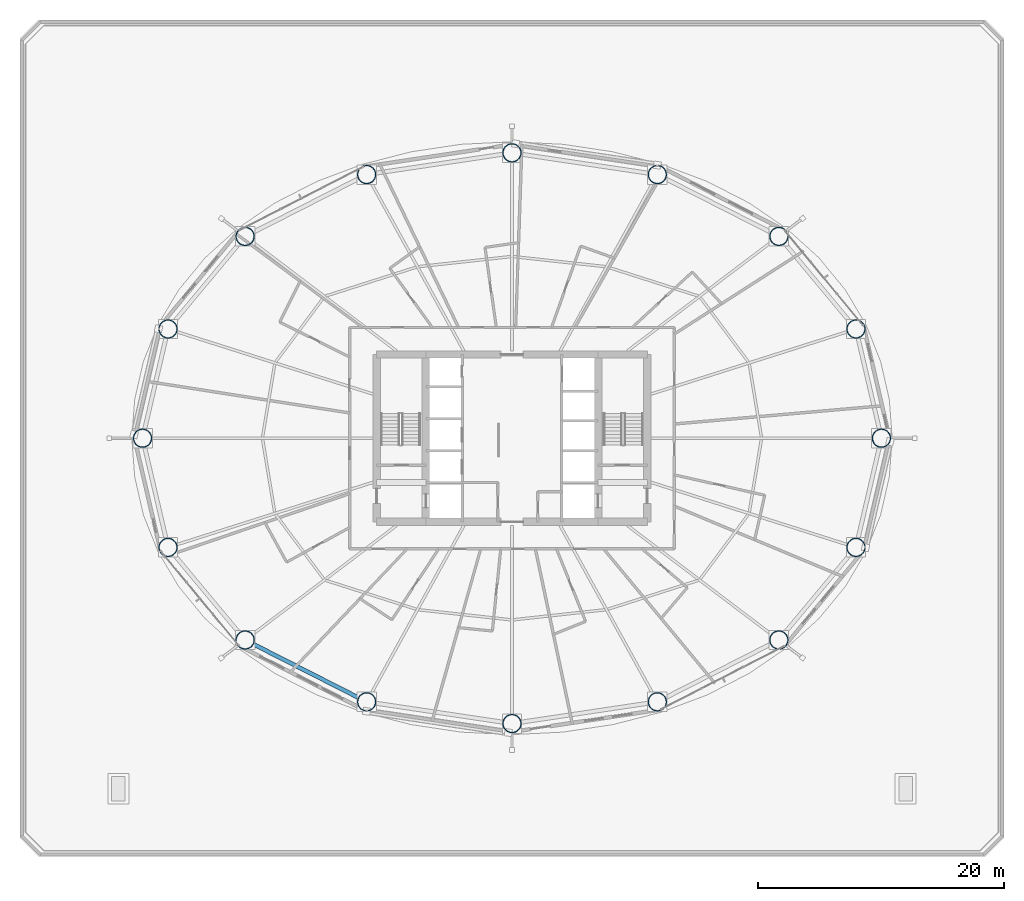
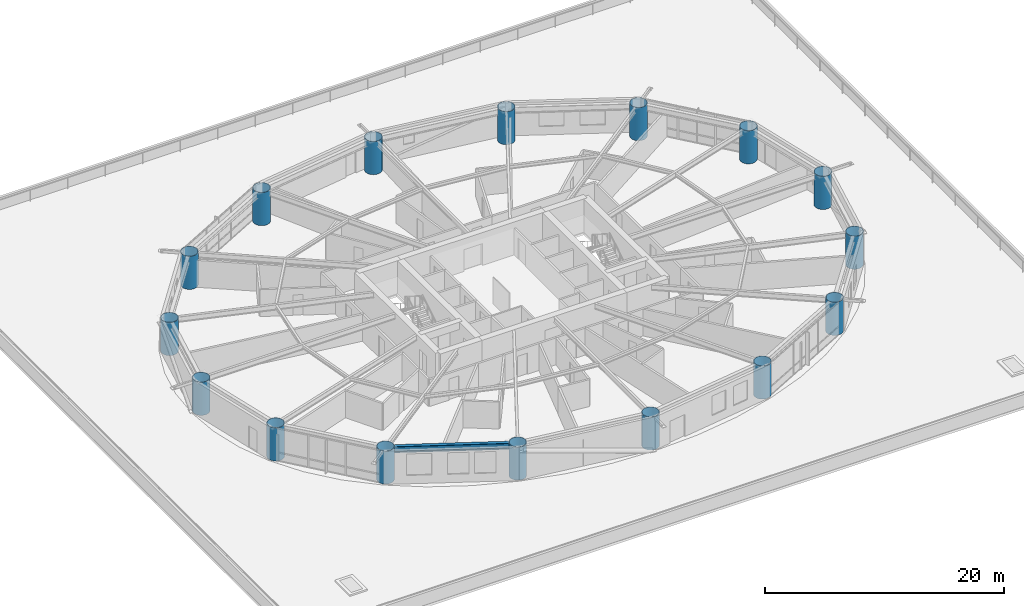
# One storey, part 1 of 30: 16 columns, 1 beam.
"""IFC4 building model written with IfcOpenShell, lengths in metres."""

from ifc_helpers import new_model, si_unit, direction, frame, origin, origin_2d, place, context, subcontext, project, spatial, hollow_circle, i_section, extrude, material, material_profile, profile_set, type_object, element, save


model = new_model("IFC4")

# Units and contexts
model_context = context("Model", 3, precision=1e-05, world=origin(), true_north=direction((0.0, 1.0)))
body_context = subcontext(model_context, "Body", "Model", "MODEL_VIEW")
ifc_project = project(units=[si_unit("LENGTHUNIT", "METRE"), si_unit("AREAUNIT", "SQUARE_METRE"), si_unit("VOLUMEUNIT", "CUBIC_METRE"), si_unit("PLANEANGLEUNIT", "RADIAN"), si_unit("MASSUNIT", "GRAM", prefix="KILO")], contexts=[model_context])

# Site, building, storey
site_placement = place(None, origin())
site = spatial("IfcSite", under=ifc_project, at=site_placement, CompositionType="ELEMENT")
building_placement = place(site_placement, origin())
building = spatial("IfcBuilding", under=site, at=building_placement, Name="Sarneth Arch Tower", CompositionType="ELEMENT")
storey_placement = place(building_placement, frame((0.0, 0.0, 28.199951171875)))
storey = spatial("IfcBuildingStorey", under=building, at=storey_placement, Name="L05", CompositionType="ELEMENT", Elevation=28.199951171875)

# Columns
ifc_material_1 = material(Name="Steel S355", Category="steel")
ifc_material_profile_1 = material_profile(ifc_material_1, hollow_circle(Radius=0.75, WallThickness=0.0400390625, at=origin_2d()), Name="CHS1500x40")
ifc_profile_set_1 = profile_set([ifc_material_profile_1], Name="Steel S355")
column_type = type_object("IfcColumnType", Name="COL-MEGA-1500", PredefinedType="COLUMN", material=ifc_profile_set_1)
for number, where, z_axis, x_axis, name in (
    (1, (78.034912109375, 42.0, 0.0), (0.0, 0.0, 1.0), (1.0, 0.0, 0.0), "L05 Perimeter mega-column M01"),
    (2, (75.965576171875, 50.878173828125, 0.0), (0.0, 0.0, 1.0), (1.0, 0.0, 0.0), "L05 Perimeter mega-column M02"),
    (3, (69.696533203125, 58.40478515625, 0.0), (0.0, 0.0, 1.0), (1.0, 0.0, 0.0), "L05 Perimeter mega-column M03"),
    (4, (59.81787109375, 63.43408203125, 0.0), (0.0, 0.0, 1.0), (1.0, 0.0, 0.0), "L05 Perimeter mega-column M04"),
    (5, (48.0, 65.199951171875, 0.0), (0.0, 0.0, 1.0), (1.0, 0.0, 0.0), "L05 Perimeter mega-column M05"),
    (6, (36.18212890625, 63.43408203125, 0.0), (0.0, 0.0, 1.0), (1.0, 0.0, 0.0), "L05 Perimeter mega-column M06"),
    (7, (26.303466796875, 58.40478515625, 0.0), (0.0, 0.0, 1.0), (1.0, 0.0, 0.0), "L05 Perimeter mega-column M07"),
    (8, (20.034423828125, 50.878173828125, 0.0), (0.0, 0.0, 1.0), (1.0, 0.0, 0.0), "L05 Perimeter mega-column M08"),
    (9, (17.965087890625, 42.0, 0.0), (0.0, 0.0, 1.0), (1.0, 0.0, 0.0), "L05 Perimeter mega-column M09"),
    (10, (20.034423828125, 33.121826171875, 0.0), (0.0, 0.0, 1.0), (1.0, 0.0, 0.0), "L05 Perimeter mega-column M10"),
    (11, (26.303466796875, 25.59521484375, 0.0), (0.0, 0.0, 1.0), (1.0, 0.0, 0.0), "L05 Perimeter mega-column M11"),
    (12, (36.18212890625, 20.56591796875, 0.0), (0.0, 0.0, 1.0), (1.0, 0.0, 0.0), "L05 Perimeter mega-column M12"),
    (13, (48.0, 18.800048828125, 0.0), (0.0, 0.0, 1.0), (1.0, 0.0, 0.0), "L05 Perimeter mega-column M13"),
    (14, (59.81787109375, 20.56591796875, 0.0), (0.0, 0.0, 1.0), (1.0, 0.0, 0.0), "L05 Perimeter mega-column M14"),
    (15, (69.696533203125, 25.59521484375, 0.0), (0.0, 0.0, 1.0), (1.0, 0.0, 0.0), "L05 Perimeter mega-column M15"),
    (16, (75.965576171875, 33.121826171875, 0.0), (0.0, 0.0, 1.0), (1.0, 0.0, 0.0), "L05 Perimeter mega-column M16"),
):
    element("IfcColumn", number, at=place(storey_placement, frame(where, z_axis=z_axis, x_axis=x_axis)), inside=storey, type_object=column_type, Name=name, PredefinedType="COLUMN", context=body_context, shape_type="SweptSolid", body=[
        extrude(hollow_circle(Radius=0.75, WallThickness=0.0400390625, at=origin_2d()), origin(), (0.0, 0.0, 1.0), 3.380126953125),
    ])

# Beam
ifc_material_2 = material(Name="Steel S355", Category="steel")
ifc_material_profile_2 = material_profile(ifc_material_2, i_section(OverallWidth=0.326904296875, OverallDepth=0.6220703125, WebThickness=0.015380859375, FlangeThickness=0.0244140625, FilletRadius=0.01904296875, at=origin_2d()), Name="W610x195")
ifc_profile_set_2 = profile_set([ifc_material_profile_2], Name="Steel S355")
beam_type = type_object("IfcBeamType", Name="BM-SPAN-610A", PredefinedType="SPANDREL", material=ifc_profile_set_2)
beam_placement = place(storey_placement, frame((26.9716796875, 25.2548828125, 3.069091796875), z_axis=(0.891169106887, -0.453671271882, 0.0), x_axis=(0.453671271882, 0.891169106887, 0.0)))
element("IfcBeam", 17, at=beam_placement, inside=storey, type_object=beam_type, Name="L05 Perimeter spandrel beam 11", PredefinedType="SPANDREL", context=body_context, shape_type="SweptSolid", body=[
    extrude(i_section(OverallWidth=0.326904296875, OverallDepth=0.6220703125, WebThickness=0.015380859375, FlangeThickness=0.0244140625, FilletRadius=0.01904296875, at=origin_2d()), origin(), (0.0, 0.0, 1.0), 9.58544921875),
])

save(model, "model.ifc")
